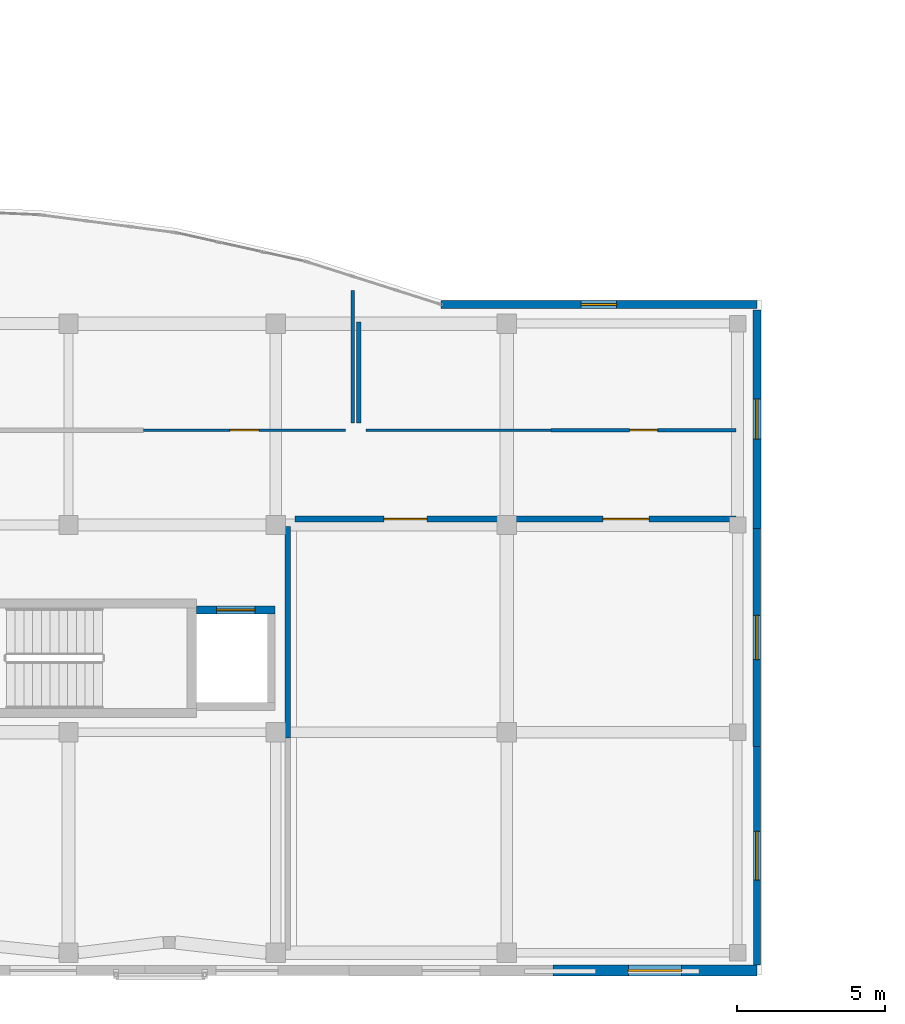
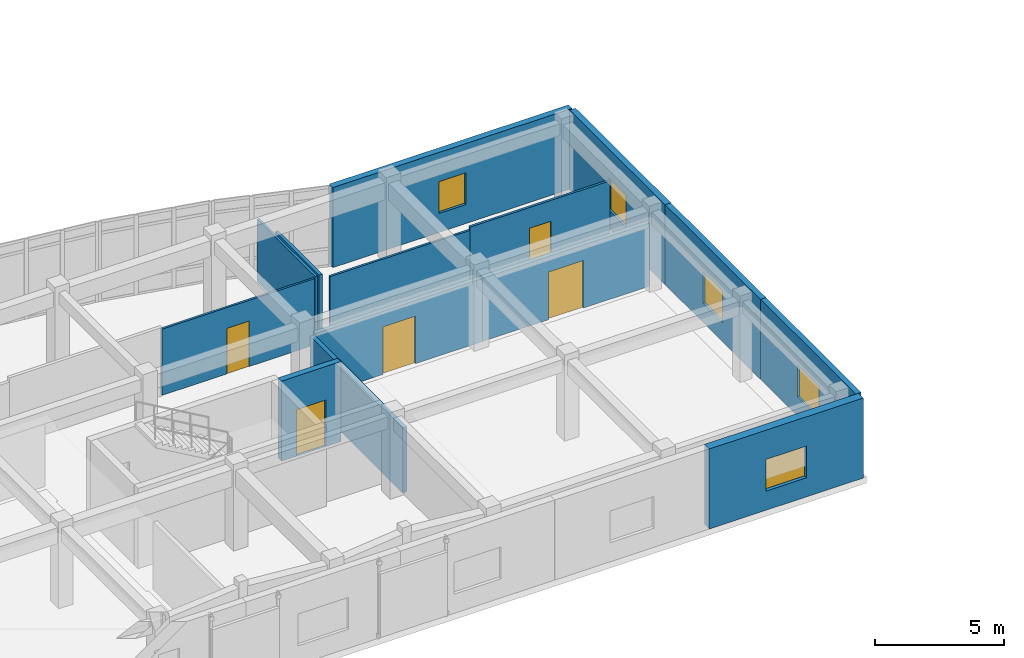
# One storey, part 133 of 146: 14 walls, 5 doors, 5 windows, 10 openings.
"""IFC4 building model written with IfcOpenShell, lengths in metres."""

from ifc_helpers import new_model, si_unit, direction, frame, frame_2d, origin, place, context, subcontext, project, spatial, rectangle, extrude, material, layer, layer_set, type_object, element, fill, save


model = new_model("IFC4")

# Units and contexts
model_context = context("Model", 3, precision=1e-05, world=origin(), true_north=direction((0.0, 1.0)))
body_context = subcontext(model_context, "Body", "Model", "MODEL_VIEW")
ifc_project = project(units=[si_unit("LENGTHUNIT", "METRE"), si_unit("AREAUNIT", "SQUARE_METRE"), si_unit("VOLUMEUNIT", "CUBIC_METRE"), si_unit("PLANEANGLEUNIT", "RADIAN"), si_unit("MASSUNIT", "GRAM", prefix="KILO")], contexts=[model_context])

# Site, building, storey
site_placement = place(None, origin())
site = spatial("IfcSite", under=ifc_project, at=site_placement, CompositionType="ELEMENT")
building_placement = place(site_placement, origin())
building = spatial("IfcBuilding", under=site, at=building_placement, Name="Valcora Specialist Clinic", CompositionType="ELEMENT")
storey_placement = place(building_placement, frame((0.0, 0.0, 9.52001953125)))
storey = spatial("IfcBuildingStorey", under=building, at=storey_placement, Name="L02", CompositionType="ELEMENT", Elevation=9.52001953125)

# Wall, opening, window
ifc_material_1 = material(Name="Extruded Jalisco Clay Brick Masonry", Category="masonry")
ifc_layer_1 = layer(ifc_material_1, 0.235107421875)
ifc_layer_set_1 = layer_set([ifc_layer_1], Name="Extruded Jalisco Clay Brick Masonry")
wall_type_1 = type_object("IfcWallType", Name="TY-WL-EW235", PredefinedType="SOLIDWALL", material=ifc_layer_set_1)
wall_1_placement = place(storey_placement, frame((115.64990234375, 7.71337890625, 0.0), z_axis=(0.0, 0.0, 1.0), x_axis=(0.0, -1.0, 0.0)))
wall_1 = element("IfcWall", 1, at=wall_1_placement, inside=storey, type_object=wall_type_1, Name="Exterior wall WL-EXT-L02-0350", PredefinedType="SOLIDWALL", context=body_context, shape_type="SweptSolid", body=[
    extrude(rectangle(XDim=7.373291015625, YDim=0.235107421875, at=frame_2d((3.6865234375, 0.0))), origin(), (0.0, 0.0, 1.0), 3.780029296875),
])
opening_1_placement = place(wall_1_placement, frame((2.862060546875, 0.0, 0.89990234375)))
opening_1 = element("IfcOpeningElement", 2, at=opening_1_placement, cuts=wall_1, Name="Opening WN-06", PredefinedType="OPENING", context=body_context, shape_type="SweptSolid", body=[
    extrude(rectangle(XDim=1.64990234375, YDim=1.5, at=frame_2d((0.824951171875, 0.75))), frame((0.0, 0.12744140625, 0.0), z_axis=(0.0, -1.0, 0.0), x_axis=(1.0, 0.0, 0.0)), (0.0, 0.0, 1.0), 0.255126953125),
])
ifc_material_2 = material(Name="Low-E Laminated Insulating Glass", Category="glass")
window_type_1 = type_object("IfcWindowType", Name="TY-WN-06", PartitioningType="SINGLE_PANEL", PredefinedType="WINDOW", material=ifc_material_2)
window_1_placement = place(opening_1_placement, origin())
window_1 = element("IfcWindow", 3, at=window_1_placement, inside=storey, type_object=window_type_1, Name="Facade window WN-L02-0300", OverallHeight=1.5, OverallWidth=1.64990234375, PartitioningType="SINGLE_PANEL", PredefinedType="WINDOW", context=body_context, shape_type="SweptSolid", body=[
    extrude(rectangle(XDim=1.64990234375, YDim=1.5, at=frame_2d((0.824951171875, 0.75))), frame((0.0, 0.030029296875, 0.0), z_axis=(0.0, -1.0, 0.0), x_axis=(1.0, 0.0, 0.0)), (0.0, 0.0, 1.0), 0.06005859375),
])
fill(opening_1, window_1)

ifc_layer_2 = layer(ifc_material_1, 0.25)
ifc_layer_set_2 = layer_set([ifc_layer_2], Name="Extruded Jalisco Clay Brick Masonry")
wall_type_2 = type_object("IfcWallType", Name="TY-WL-EW250", PredefinedType="SOLIDWALL", material=ifc_layer_set_2)
wall_2_placement = place(storey_placement, frame((115.64990234375, 15.086669921875, 0.0), z_axis=(0.0, 0.0, 1.0), x_axis=(0.0, -1.0, 0.0)))
wall_2 = element("IfcWall", 4, at=wall_2_placement, inside=storey, type_object=wall_type_2, Name="Exterior wall WL-EXT-L02-0349", PredefinedType="SOLIDWALL", context=body_context, shape_type="SweptSolid", body=[
    extrude(rectangle(XDim=7.373291015625, YDim=0.25, at=frame_2d((3.6865234375, 0.0))), origin(), (0.0, 0.0, 1.0), 3.780029296875),
])
opening_2_placement = place(wall_2_placement, frame((2.93701171875, 0.0, 0.89990234375)))
opening_2 = element("IfcOpeningElement", 5, at=opening_2_placement, cuts=wall_2, Name="Opening WN-05", PredefinedType="OPENING", context=body_context, shape_type="SweptSolid", body=[
    extrude(rectangle(XDim=1.5, YDim=1.5, at=frame_2d((0.75, 0.75))), frame((0.0, 0.135009765625, 0.0), z_axis=(0.0, -1.0, 0.0), x_axis=(1.0, 0.0, 0.0)), (0.0, 0.0, 1.0), 0.27001953125),
])
window_type_2 = type_object("IfcWindowType", Name="TY-WN-05", PartitioningType="SINGLE_PANEL", PredefinedType="WINDOW", material=ifc_material_2)
window_2_placement = place(opening_2_placement, origin())
window_2 = element("IfcWindow", 6, at=window_2_placement, inside=storey, type_object=window_type_2, Name="Facade window WN-L02-0299", OverallHeight=1.5, OverallWidth=1.5, PartitioningType="SINGLE_PANEL", PredefinedType="WINDOW", context=body_context, shape_type="SweptSolid", body=[
    extrude(rectangle(XDim=1.5, YDim=1.5, at=frame_2d((0.75, 0.75))), frame((0.0, 0.030029296875, 0.0), z_axis=(0.0, -1.0, 0.0), x_axis=(1.0, 0.0, 0.0)), (0.0, 0.0, 1.0), 0.06005859375),
])
fill(opening_2, window_2)

ifc_layer_3 = layer(ifc_material_1, 0.264892578125)
ifc_layer_set_3 = layer_set([ifc_layer_3], Name="Extruded Jalisco Clay Brick Masonry")
wall_type_3 = type_object("IfcWallType", Name="TY-WL-EW265", PredefinedType="SOLIDWALL", material=ifc_layer_set_3)
wall_3_placement = place(storey_placement, frame((115.64990234375, 22.4599609375, 0.0), z_axis=(0.0, 0.0, 1.0), x_axis=(0.0, -1.0, 0.0)))
wall_3 = element("IfcWall", 7, at=wall_3_placement, inside=storey, type_object=wall_type_3, Name="Exterior wall WL-EXT-L02-0348", PredefinedType="SOLIDWALL", context=body_context, shape_type="SweptSolid", body=[
    extrude(rectangle(XDim=7.373291015625, YDim=0.264892578125, at=frame_2d((3.6865234375, 0.0))), origin(), (0.0, 0.0, 1.0), 3.780029296875),
])
opening_3_placement = place(wall_3_placement, frame((3.011962890625, 0.0, 0.89990234375)))
opening_3 = element("IfcOpeningElement", 8, at=opening_3_placement, cuts=wall_3, Name="Opening WN-04", PredefinedType="OPENING", context=body_context, shape_type="SweptSolid", body=[
    extrude(rectangle(XDim=1.35009765625, YDim=1.5, at=frame_2d((0.675048828125, 0.75))), frame((0.0, 0.142333984375, 0.0), z_axis=(0.0, -1.0, 0.0), x_axis=(1.0, 0.0, 0.0)), (0.0, 0.0, 1.0), 0.284912109375),
])
window_type_3 = type_object("IfcWindowType", Name="TY-WN-04", PartitioningType="SINGLE_PANEL", PredefinedType="WINDOW", material=ifc_material_2)
window_3_placement = place(opening_3_placement, origin())
window_3 = element("IfcWindow", 9, at=window_3_placement, inside=storey, type_object=window_type_3, Name="Facade window WN-L02-0298", OverallHeight=1.5, OverallWidth=1.35009765625, PartitioningType="SINGLE_PANEL", PredefinedType="WINDOW", context=body_context, shape_type="SweptSolid", body=[
    extrude(rectangle(XDim=1.35009765625, YDim=1.5, at=frame_2d((0.675048828125, 0.75))), frame((0.0, 0.030029296875, 0.0), z_axis=(0.0, -1.0, 0.0), x_axis=(1.0, 0.0, 0.0)), (0.0, 0.0, 1.0), 0.06005859375),
])
fill(opening_3, window_3)

ifc_layer_4 = layer(ifc_material_1, 0.280029296875)
ifc_layer_set_4 = layer_set([ifc_layer_4], Name="Extruded Jalisco Clay Brick Masonry")
wall_type_4 = type_object("IfcWallType", Name="TY-WL-EW280", PredefinedType="SOLIDWALL", material=ifc_layer_set_4)
wall_4_placement = place(storey_placement, frame((104.976806640625, 22.64990234375, 0.0), z_axis=(0.0, 0.0, 1.0), x_axis=(1.0, 0.0, 0.0)))
wall_4 = element("IfcWall", 10, at=wall_4_placement, inside=storey, type_object=wall_type_4, Name="Exterior wall WL-EXT-L02-0347", PredefinedType="SOLIDWALL", context=body_context, shape_type="SweptSolid", body=[
    extrude(rectangle(XDim=10.673095703125, YDim=0.280029296875, at=frame_2d((5.33642578125, 0.0))), origin(), (0.0, 0.0, 1.0), 3.780029296875),
])
opening_4_placement = place(wall_4_placement, frame((4.737060546875, 0.0, 0.89990234375)))
opening_4 = element("IfcOpeningElement", 11, at=opening_4_placement, cuts=wall_4, Name="Opening WN-03", PredefinedType="OPENING", context=body_context, shape_type="SweptSolid", body=[
    extrude(rectangle(XDim=1.199951171875, YDim=1.5, at=frame_2d((0.60009765625, 0.75))), frame((0.0, 0.14990234375, 0.0), z_axis=(0.0, -1.0, 0.0), x_axis=(1.0, 0.0, 0.0)), (0.0, 0.0, 1.0), 0.300048828125),
])
window_type_4 = type_object("IfcWindowType", Name="TY-WN-03", PartitioningType="SINGLE_PANEL", PredefinedType="WINDOW", material=ifc_material_2)
window_4_placement = place(opening_4_placement, origin())
window_4 = element("IfcWindow", 12, at=window_4_placement, inside=storey, type_object=window_type_4, Name="Facade window WN-L02-0297", OverallHeight=1.5, OverallWidth=1.199951171875, PartitioningType="SINGLE_PANEL", PredefinedType="WINDOW", context=body_context, shape_type="SweptSolid", body=[
    extrude(rectangle(XDim=1.199951171875, YDim=1.5, at=frame_2d((0.60009765625, 0.75))), frame((0.0, 0.030029296875, 0.0), z_axis=(0.0, -1.0, 0.0), x_axis=(1.0, 0.0, 0.0)), (0.0, 0.0, 1.0), 0.06005859375),
])
fill(opening_4, window_4)

ifc_layer_5 = layer(ifc_material_1, 0.3701171875)
ifc_layer_set_5 = layer_set([ifc_layer_5], Name="Extruded Jalisco Clay Brick Masonry")
wall_type_5 = type_object("IfcWallType", Name="TY-WL-EW370", PredefinedType="SOLIDWALL", material=ifc_layer_set_5)
wall_5_placement = place(storey_placement, frame((115.64990234375, 0.14990234375, 0.0), z_axis=(0.0, 0.0, 1.0), x_axis=(-1.0, 0.0, 0.0)))
wall_5 = element("IfcWall", 13, at=wall_5_placement, inside=storey, type_object=wall_type_5, Name="Exterior wall WL-EXT-L02-0351", PredefinedType="SOLIDWALL", context=body_context, shape_type="SweptSolid", body=[
    extrude(rectangle(XDim=6.888916015625, YDim=0.3701171875, at=frame_2d((3.4443359375, 0.0))), origin(), (0.0, 0.0, 1.0), 3.780029296875),
])
opening_5_placement = place(wall_5_placement, frame((2.5439453125, 0.0, 0.89990234375)))
opening_5 = element("IfcOpeningElement", 14, at=opening_5_placement, cuts=wall_5, Name="Opening WN-07", PredefinedType="OPENING", context=body_context, shape_type="SweptSolid", body=[
    extrude(rectangle(XDim=1.800048828125, YDim=1.5, at=frame_2d((0.89990234375, 0.75))), frame((0.0, 0.195068359375, 0.0), z_axis=(0.0, -1.0, 0.0), x_axis=(1.0, 0.0, 0.0)), (0.0, 0.0, 1.0), 0.39013671875),
])
window_type_5 = type_object("IfcWindowType", Name="TY-WN-07", PartitioningType="SINGLE_PANEL", PredefinedType="WINDOW", material=ifc_material_2)
window_5_placement = place(opening_5_placement, origin())
window_5 = element("IfcWindow", 15, at=window_5_placement, inside=storey, type_object=window_type_5, Name="Facade window WN-L02-0301", OverallHeight=1.5, OverallWidth=1.800048828125, PartitioningType="SINGLE_PANEL", PredefinedType="WINDOW", context=body_context, shape_type="SweptSolid", body=[
    extrude(rectangle(XDim=1.800048828125, YDim=1.5, at=frame_2d((0.89990234375, 0.75))), frame((0.0, 0.030029296875, 0.0), z_axis=(0.0, -1.0, 0.0), x_axis=(1.0, 0.0, 0.0)), (0.0, 0.0, 1.0), 0.06005859375),
])
fill(opening_5, window_5)

# Wall, opening, door
ifc_material_3 = material(Name="Gypsum Board Partition Assembly")
ifc_layer_6 = layer(ifc_material_3, 0.094970703125)
ifc_layer_set_6 = layer_set([ifc_layer_6], Name="Gypsum Board Partition Assembly")
wall_type_6 = type_object("IfcWallType", Name="TY-WL-PT095", PredefinedType="PARTITIONING", material=ifc_layer_set_6)
wall_6_placement = place(storey_placement, frame((101.75, 18.39990234375, 0.0), z_axis=(0.0, 0.0, 1.0), x_axis=(-1.0, 0.0, 0.0)))
wall_6 = element("IfcWall", 16, at=wall_6_placement, inside=storey, type_object=wall_type_6, Name="Interior partition WL-INT-L02-0371", PredefinedType="PARTITIONING", context=body_context, shape_type="SweptSolid", body=[
    extrude(rectangle(XDim=6.820068359375, YDim=0.094970703125, at=frame_2d((3.41015625, 0.0))), origin(), (0.0, 0.0, 1.0), 3.1298828125),
])
opening_6_placement = place(wall_6_placement, frame((2.919921875, 0.0, 0.0)))
opening_6 = element("IfcOpeningElement", 17, at=opening_6_placement, cuts=wall_6, Name="Opening DR-CN-098", PredefinedType="OPENING", context=body_context, shape_type="SweptSolid", body=[
    extrude(rectangle(XDim=0.97998046875, YDim=2.14990234375, at=frame_2d((0.489990234375, 1.074951171875))), frame((0.0, 0.057373046875, 0.0), z_axis=(0.0, -1.0, 0.0), x_axis=(1.0, 0.0, 0.0)), (0.0, 0.0, 1.0), 0.114990234375),
])
ifc_material_4 = material(Name="Glulam Conifer Class 24F", Category="wood")
door_type_1 = type_object("IfcDoorType", Name="TY-DR-CN098", OperationType="NOTDEFINED", PredefinedType="DOOR", material=ifc_material_4)
door_1_placement = place(opening_6_placement, origin())
door_1 = element("IfcDoor", 18, at=door_1_placement, inside=storey, type_object=door_type_1, Name="Interior door DR-INT-L02-0105", OperationType="SINGLE_SWING_LEFT", OverallHeight=2.14990234375, OverallWidth=0.97998046875, PredefinedType="DOOR", context=body_context, shape_type="SweptSolid", body=[
    extrude(rectangle(XDim=0.97998046875, YDim=2.14990234375, at=frame_2d((0.489990234375, 1.074951171875))), frame((0.0, 0.02490234375, 0.0), z_axis=(0.0, -1.0, 0.0), x_axis=(1.0, 0.0, 0.0)), (0.0, 0.0, 1.0), 0.050048828125),
])
fill(opening_6, door_1)

# Walls
wall_7_placement = place(storey_placement, frame((108.699951171875, 18.39990234375, 0.0), z_axis=(0.0, 0.0, 1.0), x_axis=(-1.0, 0.0, 0.0)))
element("IfcWall", 19, at=wall_7_placement, inside=storey, type_object=wall_type_6, Name="Interior partition WL-INT-L02-0377", PredefinedType="PARTITIONING", context=body_context, shape_type="SweptSolid", body=[
    extrude(rectangle(XDim=6.25, YDim=0.094970703125, at=frame_2d((3.125, 0.0))), origin(), (0.0, 0.0, 1.0), 2.97998046875),
])
ifc_layer_7 = layer(ifc_material_3, 0.10498046875)
ifc_layer_set_7 = layer_set([ifc_layer_7], Name="Gypsum Board Partition Assembly")
wall_type_7 = type_object("IfcWallType", Name="TY-WL-PT105", PredefinedType="PARTITIONING", material=ifc_layer_set_7)
wall_8_placement = place(storey_placement, frame((102.0, 23.126953125, 0.0), z_axis=(0.0, 0.0, 1.0), x_axis=(0.0, -1.0, 0.0)))
element("IfcWall", 20, at=wall_8_placement, inside=storey, type_object=wall_type_7, Name="Interior partition WL-INT-L02-0370", PredefinedType="PARTITIONING", context=body_context, shape_type="SweptSolid", body=[
    extrude(rectangle(XDim=4.47705078125, YDim=0.10498046875, at=frame_2d((2.238525390625, 0.0))), origin(), (0.0, 0.0, 1.0), 2.97998046875),
])

# Wall, opening, door
wall_9_placement = place(storey_placement, frame((114.949951171875, 18.39990234375, 0.0), z_axis=(0.0, 0.0, 1.0), x_axis=(-1.0, 0.0, 0.0)))
wall_9 = element("IfcWall", 21, at=wall_9_placement, inside=storey, type_object=wall_type_7, Name="Interior partition WL-INT-L02-0376", PredefinedType="PARTITIONING", context=body_context, shape_type="SweptSolid", body=[
    extrude(rectangle(XDim=6.25, YDim=0.10498046875, at=frame_2d((3.125, 0.0))), origin(), (0.0, 0.0, 1.0), 3.1298828125),
])
opening_7_placement = place(wall_9_placement, frame((2.64990234375, 0.0, 0.0)))
opening_7 = element("IfcOpeningElement", 22, at=opening_7_placement, cuts=wall_9, Name="Opening DR-WC-095", PredefinedType="OPENING", context=body_context, shape_type="SweptSolid", body=[
    extrude(rectangle(XDim=0.949951171875, YDim=2.14990234375, at=frame_2d((0.47509765625, 1.074951171875))), frame((0.0, 0.0625, 0.0), z_axis=(0.0, -1.0, 0.0), x_axis=(1.0, 0.0, 0.0)), (0.0, 0.0, 1.0), 0.125),
])
door_type_2 = type_object("IfcDoorType", Name="TY-DR-WC095", OperationType="NOTDEFINED", PredefinedType="DOOR", material=ifc_material_4)
door_2_placement = place(opening_7_placement, origin())
door_2 = element("IfcDoor", 23, at=door_2_placement, inside=storey, type_object=door_type_2, Name="Interior door DR-INT-L02-0106", OperationType="SINGLE_SWING_RIGHT", OverallHeight=2.14990234375, OverallWidth=0.949951171875, PredefinedType="DOOR", context=body_context, shape_type="SweptSolid", body=[
    extrude(rectangle(XDim=0.949951171875, YDim=2.14990234375, at=frame_2d((0.47509765625, 1.074951171875))), frame((0.0, 0.02490234375, 0.0), z_axis=(0.0, -1.0, 0.0), x_axis=(1.0, 0.0, 0.0)), (0.0, 0.0, 1.0), 0.050048828125),
])
fill(opening_7, door_2)

# Wall
ifc_layer_8 = layer(ifc_material_3, 0.14501953125)
ifc_layer_set_8 = layer_set([ifc_layer_8], Name="Gypsum Board Partition Assembly")
wall_type_8 = type_object("IfcWallType", Name="TY-WL-PT145", PredefinedType="PARTITIONING", material=ifc_layer_set_8)
wall_10_placement = place(storey_placement, frame((102.199951171875, 18.64990234375, 0.0), z_axis=(0.0, 0.0, 1.0), x_axis=(0.0, 1.0, 0.0)))
element("IfcWall", 24, at=wall_10_placement, inside=storey, type_object=wall_type_8, Name="Interior partition WL-INT-L02-0378", PredefinedType="PARTITIONING", context=body_context, shape_type="SweptSolid", body=[
    extrude(rectangle(XDim=3.400146484375, YDim=0.14501953125, at=frame_2d((1.7001953125, 0.0))), origin(), (0.0, 0.0, 1.0), 2.97998046875),
])

# Wall, opening, door
ifc_layer_9 = layer(ifc_material_3, 0.195068359375)
ifc_layer_set_9 = layer_set([ifc_layer_9], Name="Gypsum Board Partition Assembly")
wall_type_9 = type_object("IfcWallType", Name="TY-WL-PT195", PredefinedType="PARTITIONING", material=ifc_layer_set_9)
wall_11_placement = place(storey_placement, frame((100.050048828125, 15.39990234375, 0.0), z_axis=(0.0, 0.0, 1.0), x_axis=(1.0, 0.0, 0.0)))
wall_11 = element("IfcWall", 25, at=wall_11_placement, inside=storey, type_object=wall_type_9, Name="Interior partition WL-INT-L02-0365", PredefinedType="PARTITIONING", context=body_context, shape_type="SweptSolid", body=[
    extrude(rectangle(XDim=7.449951171875, YDim=0.195068359375, at=frame_2d((3.72509765625, 0.0))), origin(), (0.0, 0.0, 1.0), 2.97998046875),
])
opening_8_placement = place(wall_11_placement, frame((3.0, 0.0, 0.0)))
opening_8 = element("IfcOpeningElement", 26, at=opening_8_placement, cuts=wall_11, Name="Opening DR-CL-145", PredefinedType="OPENING", context=body_context, shape_type="SweptSolid", body=[
    extrude(rectangle(XDim=1.449951171875, YDim=2.25, at=frame_2d((0.72509765625, 1.125))), frame((0.0, 0.107421875, 0.0), z_axis=(0.0, -1.0, 0.0), x_axis=(1.0, 0.0, 0.0)), (0.0, 0.0, 1.0), 0.215087890625),
])
ifc_material_5 = material(Name="Anodized Bronze Aluminium 6063-T6", Category="aluminium")
door_type_3 = type_object("IfcDoorType", Name="TY-DR-CL145", OperationType="NOTDEFINED", PredefinedType="DOOR", material=ifc_material_5)
door_3_placement = place(opening_8_placement, origin())
door_3 = element("IfcDoor", 27, at=door_3_placement, inside=storey, type_object=door_type_3, Name="Interior door DR-INT-L02-0102", OperationType="SINGLE_SWING_RIGHT", OverallHeight=2.25, OverallWidth=1.449951171875, PredefinedType="DOOR", context=body_context, shape_type="SweptSolid", body=[
    extrude(rectangle(XDim=1.449951171875, YDim=2.25, at=frame_2d((0.72509765625, 1.125))), frame((0.0, 0.02490234375, 0.0), z_axis=(0.0, -1.0, 0.0), x_axis=(1.0, 0.0, 0.0)), (0.0, 0.0, 1.0), 0.050048828125),
])
fill(opening_8, door_3)

wall_12_placement = place(storey_placement, frame((107.5, 15.39990234375, 0.0), z_axis=(0.0, 0.0, 1.0), x_axis=(1.0, 0.0, 0.0)))
wall_12 = element("IfcWall", 28, at=wall_12_placement, inside=storey, type_object=wall_type_9, Name="Interior partition WL-INT-L02-0366", PredefinedType="PARTITIONING", context=body_context, shape_type="SweptSolid", body=[
    extrude(rectangle(XDim=7.449951171875, YDim=0.195068359375, at=frame_2d((3.72509765625, 0.0))), origin(), (0.0, 0.0, 1.0), 2.97998046875),
])
opening_9_placement = place(wall_12_placement, frame((2.949951171875, 0.0, 0.0)))
opening_9 = element("IfcOpeningElement", 29, at=opening_9_placement, cuts=wall_12, Name="Opening DR-CL-155", PredefinedType="OPENING", context=body_context, shape_type="SweptSolid", body=[
    extrude(rectangle(XDim=1.550048828125, YDim=2.25, at=frame_2d((0.77490234375, 1.125))), frame((0.0, 0.107421875, 0.0), z_axis=(0.0, -1.0, 0.0), x_axis=(1.0, 0.0, 0.0)), (0.0, 0.0, 1.0), 0.215087890625),
])
door_type_4 = type_object("IfcDoorType", Name="TY-DR-CL155", OperationType="NOTDEFINED", PredefinedType="DOOR", material=ifc_material_5)
door_4_placement = place(opening_9_placement, origin())
door_4 = element("IfcDoor", 30, at=door_4_placement, inside=storey, type_object=door_type_4, Name="Interior door DR-INT-L02-0103", OperationType="SINGLE_SWING_LEFT", OverallHeight=2.25, OverallWidth=1.550048828125, PredefinedType="DOOR", context=body_context, shape_type="SweptSolid", body=[
    extrude(rectangle(XDim=1.550048828125, YDim=2.25, at=frame_2d((0.77490234375, 1.125))), frame((0.0, 0.02490234375, 0.0), z_axis=(0.0, -1.0, 0.0), x_axis=(1.0, 0.0, 0.0)), (0.0, 0.0, 1.0), 0.050048828125),
])
fill(opening_9, door_4)

# Wall
wall_13_placement = place(storey_placement, frame((99.800048828125, 8.0, 0.0), z_axis=(0.0, 0.0, 1.0), x_axis=(0.0, 1.0, 0.0)))
element("IfcWall", 31, at=wall_13_placement, inside=storey, type_object=wall_type_9, Name="Interior partition WL-INT-L02-0368", PredefinedType="PARTITIONING", context=body_context, shape_type="SweptSolid", body=[
    extrude(rectangle(XDim=7.14990234375, YDim=0.195068359375, at=frame_2d((3.574951171875, 0.0))), origin(), (0.0, 0.0, 1.0), 3.080078125),
])

# Wall, opening, door
ifc_material_6 = material(Name="Concrete C40/50", Category="concrete")
ifc_layer_10 = layer(ifc_material_6, 0.260009765625)
ifc_layer_set_10 = layer_set([ifc_layer_10], Name="Concrete C40/50")
wall_type_10 = type_object("IfcWallType", Name="TY-WL-SH260", PredefinedType="SHEAR", material=ifc_layer_set_10)
wall_14_placement = place(storey_placement, frame((96.721923828125, 12.330078125, 0.0), z_axis=(0.0, 0.0, 1.0), x_axis=(1.0, 0.0, 0.0)))
wall_14 = element("IfcWall", 32, at=wall_14_placement, inside=storey, type_object=wall_type_10, Name="Lift shaft wall WL-LF-LF-08-L02-LN", PredefinedType="SHEAR", context=body_context, shape_type="SweptSolid", body=[
    extrude(rectangle(XDim=2.657958984375, YDim=0.260009765625, at=frame_2d((1.3291015625, 0.0))), origin(), (0.0, 0.0, 1.0), 3.780029296875),
])
opening_10_placement = place(wall_14_placement, frame((0.678955078125, 0.0, 0.0)))
opening_10 = element("IfcOpeningElement", 33, at=opening_10_placement, cuts=wall_14, Name="Opening LD-130", PredefinedType="OPENING", context=body_context, shape_type="SweptSolid", body=[
    extrude(rectangle(XDim=1.300048828125, YDim=2.199951171875, at=frame_2d((0.64990234375, 1.10009765625))), frame((0.0, 0.139892578125, 0.0), z_axis=(0.0, -1.0, 0.0), x_axis=(1.0, 0.0, 0.0)), (0.0, 0.0, 1.0), 0.280029296875),
])
ifc_material_7 = material(Name="Stainless Steel AISI 316", Category="steel")
door_type_5 = type_object("IfcDoorType", Name="TY-LD-130", OperationType="NOTDEFINED", PredefinedType="DOOR", material=ifc_material_7)
door_5_placement = place(opening_10_placement, origin())
door_5 = element("IfcDoor", 34, at=door_5_placement, inside=storey, type_object=door_type_5, Name="Lift landing sliding door LF-08 L02", OperationType="SLIDING_TO_RIGHT", OverallHeight=2.199951171875, OverallWidth=1.300048828125, PredefinedType="DOOR", context=body_context, shape_type="SweptSolid", body=[
    extrude(rectangle(XDim=1.300048828125, YDim=2.199951171875, at=frame_2d((0.64990234375, 1.10009765625))), frame((0.0, 0.02490234375, 0.0), z_axis=(0.0, -1.0, 0.0), x_axis=(1.0, 0.0, 0.0)), (0.0, 0.0, 1.0), 0.050048828125),
])
fill(opening_10, door_5)

save(model, "model.ifc")
